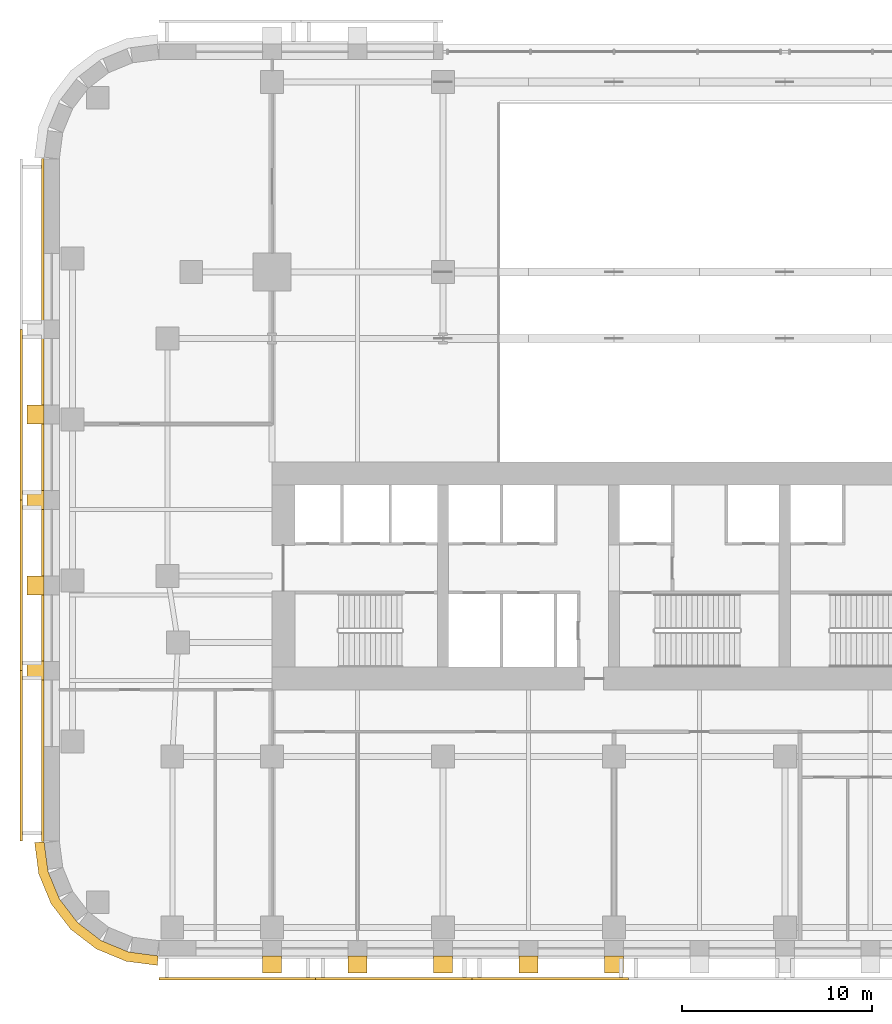
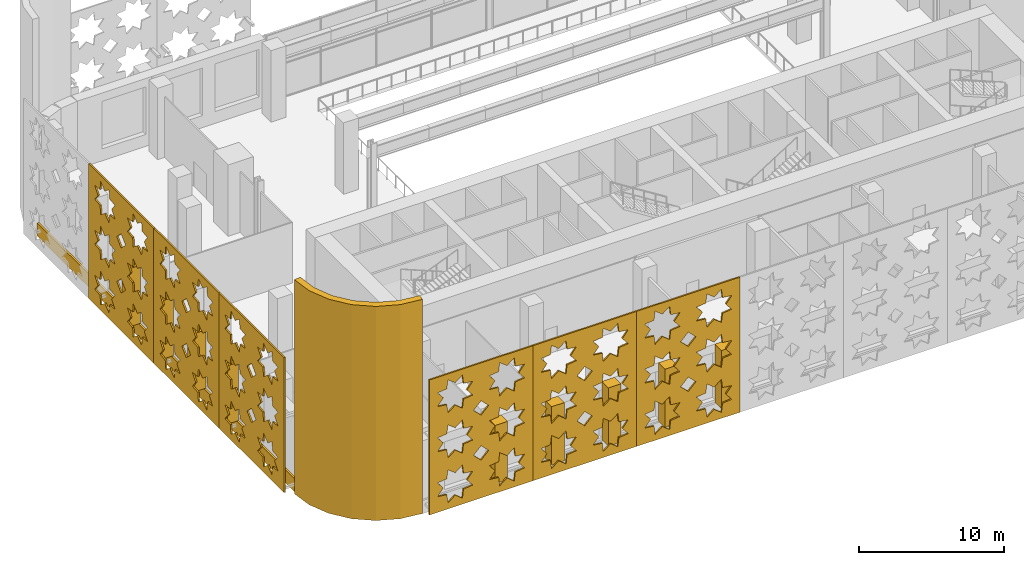
# One storey, part 12 of 17: 17 coverings.
"""IFC4 building model written with IfcOpenShell, lengths in metres."""

import ifcopenshell
import ifcopenshell.guid

model = None  # the IFC model being written
_history = None  # IfcOwnerHistory: only IFC2X3 demands one
_inside = {}  # id of a spatial element -> (the spatial element, [elements in it])
_under = {}  # id of a project, library or spatial element -> (it, [spatial elements below it])
_declared = {}  # id of a project -> (the project, [libraries it declares])
_typed = {}  # id of a type object -> (the type object, [elements of that type])
_made_of = {}  # id of a material, layer set ... -> (it, [elements and type objects made of it])


def new_model(schema):
    """Start an empty IFC model of exactly this schema.

    Asked for "IFC4X3", IfcOpenShell would pick the latest addendum, in which some entities
    have other attributes; the version numbers below select the first issue.
    IFC2X3 requires an IfcOwnerHistory on every rooted entity: one is made here for all.
    """
    global model, _history
    if schema == "IFC4X3":
        model = ifcopenshell.file(schema_version=(4, 3, 0, 0))
    else:
        model = ifcopenshell.file(schema=schema)
    _inside.clear()
    _under.clear()
    _declared.clear()
    _typed.clear()
    _made_of.clear()
    _history = None
    if model.schema == "IFC2X3":
        org = make("IfcOrganization", Name="unknown")
        user = make(
            "IfcPersonAndOrganization",
            ThePerson=make("IfcPerson", FamilyName="unknown"),
            TheOrganization=org,
        )
        app = make(
            "IfcApplication",
            ApplicationDeveloper=org,
            Version="unknown",
            ApplicationFullName="unknown",
            ApplicationIdentifier="unknown",
        )
        _history = make(
            "IfcOwnerHistory",
            OwningUser=user,
            OwningApplication=app,
            ChangeAction="ADDED",
            CreationDate=0,
        )
    return model


def make(cls, **values):
    """One entity of the class cls with the attributes given. An attribute that is None is left unset."""
    return model.create_entity(
        cls, **{name: value for name, value in values.items() if value is not None}
    )


def rooted(cls, **values):
    """An entity with a GlobalId (a new one), such as an element, a storey or a relation."""
    return make(cls, GlobalId=ifcopenshell.guid.new(), OwnerHistory=_history, **values)


def si_unit(unit_type, name, prefix=None):
    """IfcSIUnit, for example si_unit("LENGTHUNIT", "METRE", prefix="MILLI")."""
    return make("IfcSIUnit", UnitType=unit_type, Prefix=prefix, Name=name)


def assignment(units):
    """IfcUnitAssignment: the units of a project."""
    return None if units is None else make("IfcUnitAssignment", Units=units)


def point(xyz):
    """IfcCartesianPoint."""
    return None if xyz is None else make("IfcCartesianPoint", Coordinates=xyz)


def direction(xyz):
    """IfcDirection."""
    return None if xyz is None else make("IfcDirection", DirectionRatios=xyz)


def frame(location, z_axis=None, x_axis=None):
    """IfcAxis2Placement3D, a coordinate frame: its origin and axes. An axis left out is left unset."""
    return make(
        "IfcAxis2Placement3D",
        Location=point(location),
        Axis=direction(z_axis),
        RefDirection=direction(x_axis),
    )


def origin():
    """The frame at (0, 0, 0) with its axes left unset."""
    return frame((0.0, 0.0, 0.0))


def place(relative_to, where):
    """IfcLocalPlacement: puts the frame where relative to a parent placement (None: the world)."""
    return make(
        "IfcLocalPlacement", PlacementRelTo=relative_to, RelativePlacement=where
    )


def context(
    kind, dimensions, precision=None, world=None, true_north=None, identifier=None
):
    """IfcGeometricRepresentationContext, for example the 3D "Model" context."""
    return make(
        "IfcGeometricRepresentationContext",
        ContextIdentifier=identifier,
        ContextType=kind,
        CoordinateSpaceDimension=dimensions,
        Precision=precision,
        WorldCoordinateSystem=world,
        TrueNorth=true_north,
    )


def subcontext(parent, identifier, kind, view, scale=None):
    """IfcGeometricRepresentationSubContext, for example "Body" below "Model"."""
    return make(
        "IfcGeometricRepresentationSubContext",
        ContextIdentifier=identifier,
        ContextType=kind,
        ParentContext=parent,
        TargetScale=scale,
        TargetView=view,
    )


def project(units=None, contexts=None):
    """IfcProject with its units and contexts."""
    return rooted(
        "IfcProject",
        Name="project",
        RepresentationContexts=contexts,
        UnitsInContext=assignment(units),
    )


def spatial(cls, under=None, at=None, **own):
    """A site, building, storey or space (cls), placed at a placement, below another one or the project."""
    s = rooted(cls, ObjectPlacement=at, **own)
    if under is not None:
        _under.setdefault(under.id(), (under, []))[1].append(s)
    return s


def polyline(points):
    """IfcPolyline through the points."""
    return make("IfcPolyline", Points=[point(p) for p in points])


def outline(outer, holes=None, kind="AREA"):
    """IfcArbitraryClosedProfileDef: a profile drawn as a closed curve; with holes, ...WithVoids."""
    if holes is None:
        return make("IfcArbitraryClosedProfileDef", ProfileType=kind, OuterCurve=outer)
    return make(
        "IfcArbitraryProfileDefWithVoids",
        ProfileType=kind,
        OuterCurve=outer,
        InnerCurves=holes,
    )


def extrude(swept, where, along, depth):
    """IfcExtrudedAreaSolid: the profile swept, set in the frame where, extruded along a direction by depth."""
    return make(
        "IfcExtrudedAreaSolid",
        SweptArea=swept,
        Position=where,
        ExtrudedDirection=direction(along),
        Depth=depth,
    )


def shape(context_of_items, identifier, shape_type, items):
    """IfcShapeRepresentation: the items that make up one representation, for example the "Body"."""
    return make(
        "IfcShapeRepresentation",
        ContextOfItems=context_of_items,
        RepresentationIdentifier=identifier,
        RepresentationType=shape_type,
        Items=items,
    )


def material(Name=None, Category=None):
    """IfcMaterial."""
    return make("IfcMaterial", Name=Name, Category=Category)


def layer(
    of_material, thickness, ventilated=None, Name=None, Category=None, Priority=None
):
    """IfcMaterialLayer: one layer of a wall or slab, of a material (None: an air gap)."""
    return make(
        "IfcMaterialLayer",
        Material=of_material,
        LayerThickness=thickness,
        IsVentilated=ventilated,
        Name=Name,
        Category=Category,
        Priority=Priority,
    )


def layer_set(layers, Name=None):
    """IfcMaterialLayerSet."""
    return make("IfcMaterialLayerSet", MaterialLayers=layers, LayerSetName=Name)


def made_of(thing, what):
    """Note that an element or type object is made of a material, layer set ...; save() writes the relation."""
    if what is not None:
        _made_of.setdefault(what.id(), (what, []))[1].append(thing)
    return thing


def type_object(cls, material=None, **own):
    """A type object (cls), such as IfcWallType, which elements share."""
    return made_of(rooted(cls, **own), material)


def element(
    cls,
    number,
    at=None,
    inside=None,
    cuts=None,
    type_object=None,
    material=None,
    context=None,
    identifier="Body",
    shape_type=None,
    held_by="IfcProductDefinitionShape",
    body=None,
    shapes=None,
    **own,
):
    """One element of the class cls, such as IfcWall. Its Tag is "e" and its number.

    at: its placement. inside: the storey or other place that contains it. cuts: it is an
    opening in that element (IfcRelVoidsElement). A single representation is given by context,
    identifier, shape_type and body (its items); several are given by shapes. held_by: the class
    of the entity that holds the representations. save() writes the other relations.
    """
    e = rooted(cls, Tag="e%d" % number, ObjectPlacement=at, **own)
    if body is not None:
        shapes = [shape(context, identifier, shape_type, body)]
    if shapes is not None:
        e.Representation = make(held_by, Representations=shapes)
    if inside is not None:
        _inside.setdefault(inside.id(), (inside, []))[1].append(e)
    if cuts is not None:
        rooted(
            "IfcRelVoidsElement", RelatingBuildingElement=cuts, RelatedOpeningElement=e
        )
    if type_object is not None:
        _typed.setdefault(type_object.id(), (type_object, []))[1].append(e)
    return made_of(e, material)


def aggregate(whole, parts):
    """IfcRelAggregates: a whole, such as a stair, and the parts it consists of."""
    return rooted("IfcRelAggregates", RelatingObject=whole, RelatedObjects=parts)


def save(model, path):
    """Write the relations noted so far, then the file.

    IfcRelAggregates (storeys below a building ...), IfcRelContainedInSpatialStructure (elements
    in a storey), IfcRelDefinesByType, IfcRelAssociatesMaterial and IfcRelDeclares: one each for
    every whole, place, type object, material and project.
    """
    for whole, parts in _under.values():
        aggregate(whole, parts)
    for where, things in _inside.values():
        rooted(
            "IfcRelContainedInSpatialStructure",
            RelatedElements=things,
            RelatingStructure=where,
        )
    for kind, things in _typed.values():
        rooted("IfcRelDefinesByType", RelatedObjects=things, RelatingType=kind)
    for what, things in _made_of.values():
        rooted("IfcRelAssociatesMaterial", RelatedObjects=things, RelatingMaterial=what)
    for by, libraries in _declared.values():
        rooted("IfcRelDeclares", RelatingContext=by, RelatedDefinitions=libraries)
    model.write(path)


model = new_model("IFC4")

# Units and contexts
model_context = context("Model", 3, precision=1e-05, world=origin(), true_north=direction((0.0, 1.0)))
body_context = subcontext(model_context, "Body", "Model", "MODEL_VIEW")
ifc_project = project(units=[si_unit("LENGTHUNIT", "METRE"), si_unit("AREAUNIT", "SQUARE_METRE"), si_unit("VOLUMEUNIT", "CUBIC_METRE"), si_unit("PLANEANGLEUNIT", "RADIAN"), si_unit("MASSUNIT", "GRAM", prefix="KILO")], contexts=[model_context])

# Site, building, storey
site_placement = place(None, origin())
site = spatial("IfcSite", under=ifc_project, at=site_placement, CompositionType="ELEMENT")
building_placement = place(site_placement, origin())
building = spatial("IfcBuilding", under=site, at=building_placement, Name="Zellij Exchange Tower", CompositionType="ELEMENT")
storey_placement = place(building_placement, frame((0.0, 0.0, 21.0)))
storey = spatial("IfcBuildingStorey", under=building, at=storey_placement, Name="L03", CompositionType="ELEMENT", Elevation=21.0)

# Coverings
ifc_material_1 = material(Name="Limestone cladding", Category="masonry")
ifc_layer_1 = layer(ifc_material_1, 0.14990234375)
ifc_layer_set_1 = layer_set([ifc_layer_1], Name="Limestone cladding")
covering_type_1 = type_object("IfcCoveringType", Name="ENV-CV1 Stone spandrel band 150", PredefinedType="CLADDING", material=ifc_layer_set_1)
covering_1_placement = place(storey_placement, frame((0.0, 0.0, -0.300048828125)))
element("IfcCovering", 1, at=covering_1_placement, inside=storey, type_object=covering_type_1, Name="Stone spandrel band", PredefinedType="CLADDING", context=body_context, shape_type="SweptSolid", body=[
    extrude(outline(polyline([(-39.0, 13.973876953125), (-39.0, -21.973876953125), (-39.14990234375, -21.983642578125), (-39.14990234375, 13.983642578125), (-39.0, 13.973876953125)])), origin(), (0.0, 0.0, 1.0), 1.10009765625),
])
ifc_layer_2 = layer(ifc_material_1, 0.5)
ifc_layer_set_2 = layer_set([ifc_layer_2], Name="Limestone cladding")
covering_type_2 = type_object("IfcCoveringType", Name="ENV-CV12 Stone corner pier 500", PredefinedType="CLADDING", material=ifc_layer_set_2)
covering_2_placement = place(storey_placement, origin())
element("IfcCovering", 2, at=covering_2_placement, inside=storey, type_object=covering_type_2, Name="Stone corner pier", PredefinedType="CLADDING", context=body_context, shape_type="SweptSolid", body=[
    extrude(outline(polyline([(-39.0, -22.0), (-38.795654296875, -23.552978515625), (-38.1962890625, -25.0), (-37.24267578125, -26.24267578125), (-36.0, -27.1962890625), (-34.552978515625, -27.795654296875), (-33.0, -28.0), (-33.03271484375, -28.5), (-34.683349609375, -28.28271484375), (-36.252197265625, -27.6328125), (-37.59912109375, -26.59912109375), (-38.6328125, -25.252197265625), (-39.28271484375, -23.683349609375), (-39.5, -22.03271484375), (-39.0, -22.0)])), origin(), (0.0, 0.0, 1.0), 18.0),
])
covering_type_3 = type_object("IfcCoveringType", Name="ENV-CV2 Stone pier 1000x900", PredefinedType="CLADDING", material=ifc_material_1)
covering_3_placement = place(storey_placement, frame((0.0, 0.0, 0.800048828125)))
element("IfcCovering", 3, at=covering_3_placement, inside=storey, type_object=covering_type_3, Name="Stone pier", PredefinedType="CLADDING", context=body_context, shape_type="SweptSolid", body=[
    extrude(outline(polyline([(-27.5, -28.0), (-26.5, -28.0), (-26.5, -28.89990234375), (-27.5, -28.89990234375), (-27.5, -28.0)])), origin(), (0.0, 0.0, 1.0), 4.89990234375),
])
covering_4_placement = place(storey_placement, frame((0.0, 0.0, 0.800048828125)))
element("IfcCovering", 4, at=covering_4_placement, inside=storey, type_object=covering_type_3, Name="Stone pier", PredefinedType="CLADDING", context=body_context, shape_type="SweptSolid", body=[
    extrude(outline(polyline([(-23.0, -28.0), (-22.0, -28.0), (-22.0, -28.89990234375), (-23.0, -28.89990234375), (-23.0, -28.0)])), origin(), (0.0, 0.0, 1.0), 4.89990234375),
])
covering_5_placement = place(storey_placement, frame((0.0, 0.0, 0.800048828125)))
element("IfcCovering", 5, at=covering_5_placement, inside=storey, type_object=covering_type_3, Name="Stone pier", PredefinedType="CLADDING", context=body_context, shape_type="SweptSolid", body=[
    extrude(outline(polyline([(-18.5, -28.0), (-17.5, -28.0), (-17.5, -28.89990234375), (-18.5, -28.89990234375), (-18.5, -28.0)])), origin(), (0.0, 0.0, 1.0), 4.89990234375),
])
covering_6_placement = place(storey_placement, frame((0.0, 0.0, 0.800048828125)))
element("IfcCovering", 6, at=covering_6_placement, inside=storey, type_object=covering_type_3, Name="Stone pier", PredefinedType="CLADDING", context=body_context, shape_type="SweptSolid", body=[
    extrude(outline(polyline([(-14.0, -28.0), (-13.0, -28.0), (-13.0, -28.89990234375), (-14.0, -28.89990234375), (-14.0, -28.0)])), origin(), (0.0, 0.0, 1.0), 4.89990234375),
])
covering_7_placement = place(storey_placement, frame((0.0, 0.0, 0.800048828125)))
element("IfcCovering", 7, at=covering_7_placement, inside=storey, type_object=covering_type_3, Name="Stone pier", PredefinedType="CLADDING", context=body_context, shape_type="SweptSolid", body=[
    extrude(outline(polyline([(-9.5, -28.0), (-8.5, -28.0), (-8.5, -28.89990234375), (-9.5, -28.89990234375), (-9.5, -28.0)])), origin(), (0.0, 0.0, 1.0), 4.89990234375),
])
covering_8_placement = place(storey_placement, frame((0.0, 0.0, 0.800048828125)))
element("IfcCovering", 8, at=covering_8_placement, inside=storey, type_object=covering_type_3, Name="Stone pier", PredefinedType="CLADDING", context=body_context, shape_type="SweptSolid", body=[
    extrude(outline(polyline([(-39.0, 0.993408203125), (-39.0, -0.006591796875), (-39.89990234375, -0.006591796875), (-39.89990234375, 0.993408203125), (-39.0, 0.993408203125)])), origin(), (0.0, 0.0, 1.0), 4.89990234375),
])
covering_9_placement = place(storey_placement, frame((0.0, 0.0, 0.800048828125)))
element("IfcCovering", 9, at=covering_9_placement, inside=storey, type_object=covering_type_3, Name="Stone pier", PredefinedType="CLADDING", context=body_context, shape_type="SweptSolid", body=[
    extrude(outline(polyline([(-39.0, -3.5), (-39.0, -4.5), (-39.89990234375, -4.5), (-39.89990234375, -3.5), (-39.0, -3.5)])), origin(), (0.0, 0.0, 1.0), 4.89990234375),
])
covering_10_placement = place(storey_placement, frame((0.0, 0.0, 0.800048828125)))
element("IfcCovering", 10, at=covering_10_placement, inside=storey, type_object=covering_type_3, Name="Stone pier", PredefinedType="CLADDING", context=body_context, shape_type="SweptSolid", body=[
    extrude(outline(polyline([(-39.0, -7.993408203125), (-39.0, -8.993408203125), (-39.89990234375, -8.993408203125), (-39.89990234375, -7.993408203125), (-39.0, -7.993408203125)])), origin(), (0.0, 0.0, 1.0), 4.89990234375),
])
covering_11_placement = place(storey_placement, frame((0.0, 0.0, 0.800048828125)))
element("IfcCovering", 11, at=covering_11_placement, inside=storey, type_object=covering_type_3, Name="Stone pier", PredefinedType="CLADDING", context=body_context, shape_type="SweptSolid", body=[
    extrude(outline(polyline([(-39.0, -12.48681640625), (-39.0, -13.48681640625), (-39.89990234375, -13.48681640625), (-39.89990234375, -12.48681640625), (-39.0, -12.48681640625)])), origin(), (0.0, 0.0, 1.0), 4.89990234375),
])
ifc_material_2 = material(Name="Limestone screen", Category="masonry")
ifc_layer_3 = layer(ifc_material_2, 0.1201171875)
ifc_layer_set_3 = layer_set([ifc_layer_3], Name="Limestone screen")
covering_type_4 = type_object("IfcCoveringType", Name="ENV-SC1 Pierced stone screen 120", PredefinedType="USERDEFINED", material=ifc_layer_set_3)
covering_12_placement = place(storey_placement, frame((-40.2099609375, 4.973876953125, 0.300048828125), z_axis=(0.0, 0.0, 1.0), x_axis=(0.0, -1.0, 0.0)))
element("IfcCovering", 12, at=covering_12_placement, inside=storey, type_object=covering_type_4, Name="Pierced stone screen", ObjectType="SCREEN", PredefinedType="USERDEFINED", context=body_context, shape_type="SweptSolid", body=[
    extrude(outline(polyline([(0.0, 0.0), (8.973876953125, 0.0), (8.973876953125, 11.35009765625), (0.0, 11.35009765625), (0.0, 0.0)]), holes=[polyline([(3.6416015625, 2.470703125), (2.906982421875, 2.55517578125), (2.822509765625, 3.289794921875), (2.243408203125, 2.829833984375), (1.664306640625, 3.289794921875), (1.580078125, 2.55517578125), (0.84521484375, 2.470703125), (1.30517578125, 1.8916015625), (0.84521484375, 1.3125), (1.580078125, 1.228271484375), (1.664306640625, 0.493408203125), (2.243408203125, 0.953369140625), (2.822509765625, 0.493408203125), (2.906982421875, 1.228271484375), (3.6416015625, 1.3125), (3.181640625, 1.8916015625), (3.6416015625, 2.470703125)]), polyline([(3.6416015625, 6.254150390625), (2.906982421875, 6.33837890625), (2.822509765625, 7.072998046875), (2.243408203125, 6.61328125), (1.664306640625, 7.072998046875), (1.580078125, 6.33837890625), (0.84521484375, 6.254150390625), (1.30517578125, 5.675048828125), (0.84521484375, 5.095947265625), (1.580078125, 5.011474609375), (1.664306640625, 4.27685546875), (2.243408203125, 4.73681640625), (2.822509765625, 4.27685546875), (2.906982421875, 5.011474609375), (3.6416015625, 5.095947265625), (3.181640625, 5.675048828125), (3.6416015625, 6.254150390625)]), polyline([(3.6416015625, 10.03759765625), (2.906982421875, 10.121826171875), (2.822509765625, 10.8564453125), (2.243408203125, 10.396484375), (1.664306640625, 10.8564453125), (1.580078125, 10.121826171875), (0.84521484375, 10.03759765625), (1.30517578125, 9.458251953125), (0.84521484375, 8.879150390625), (1.580078125, 8.794921875), (1.664306640625, 8.060302734375), (2.243408203125, 8.52001953125), (2.822509765625, 8.060302734375), (2.906982421875, 8.794921875), (3.6416015625, 8.879150390625), (3.181640625, 9.458251953125), (3.6416015625, 10.03759765625)]), polyline([(8.12841796875, 2.470703125), (7.393798828125, 2.55517578125), (7.3095703125, 3.289794921875), (6.730224609375, 2.829833984375), (6.151123046875, 3.289794921875), (6.06689453125, 2.55517578125), (5.332275390625, 2.470703125), (5.7919921875, 1.8916015625), (5.332275390625, 1.3125), (6.06689453125, 1.228271484375), (6.151123046875, 0.493408203125), (6.730224609375, 0.953369140625), (7.3095703125, 0.493408203125), (7.393798828125, 1.228271484375), (8.12841796875, 1.3125), (7.668701171875, 1.8916015625), (8.12841796875, 2.470703125)]), polyline([(8.12841796875, 6.254150390625), (7.393798828125, 6.33837890625), (7.3095703125, 7.072998046875), (6.730224609375, 6.61328125), (6.151123046875, 7.072998046875), (6.06689453125, 6.33837890625), (5.332275390625, 6.254150390625), (5.7919921875, 5.675048828125), (5.332275390625, 5.095947265625), (6.06689453125, 5.011474609375), (6.151123046875, 4.27685546875), (6.730224609375, 4.73681640625), (7.3095703125, 4.27685546875), (7.393798828125, 5.011474609375), (8.12841796875, 5.095947265625), (7.668701171875, 5.675048828125), (8.12841796875, 6.254150390625)]), polyline([(8.12841796875, 10.03759765625), (7.393798828125, 10.121826171875), (7.3095703125, 10.8564453125), (6.730224609375, 10.396484375), (6.151123046875, 10.8564453125), (6.06689453125, 10.121826171875), (5.332275390625, 10.03759765625), (5.7919921875, 9.458251953125), (5.332275390625, 8.879150390625), (6.06689453125, 8.794921875), (6.151123046875, 8.060302734375), (6.730224609375, 8.52001953125), (7.3095703125, 8.060302734375), (7.393798828125, 8.794921875), (8.12841796875, 8.879150390625), (7.668701171875, 9.458251953125), (8.12841796875, 10.03759765625)]), polyline([(5.09228515625, 3.783203125), (4.48681640625, 4.388671875), (3.881591796875, 3.783203125), (4.48681640625, 3.177978515625), (5.09228515625, 3.783203125)]), polyline([(5.09228515625, 7.566650390625), (4.48681640625, 8.172119140625), (3.881591796875, 7.566650390625), (4.48681640625, 6.961181640625), (5.09228515625, 7.566650390625)])]), frame((0.0, 0.06005859375, 0.0), z_axis=(0.0, -1.0, 0.0), x_axis=(1.0, 0.0, 0.0)), (0.0, 0.0, 1.0), 0.1201171875),
])
covering_13_placement = place(storey_placement, frame((-40.2099609375, -4.0, 0.300048828125), z_axis=(0.0, 0.0, 1.0), x_axis=(0.0, -1.0, 0.0)))
element("IfcCovering", 13, at=covering_13_placement, inside=storey, type_object=covering_type_4, Name="Pierced stone screen", ObjectType="SCREEN", PredefinedType="USERDEFINED", context=body_context, shape_type="SweptSolid", body=[
    extrude(outline(polyline([(0.0, 0.0), (8.973876953125, 0.0), (8.973876953125, 11.35009765625), (0.0, 11.35009765625), (0.0, 0.0)]), holes=[polyline([(3.6416015625, 2.470703125), (2.906982421875, 2.55517578125), (2.822509765625, 3.289794921875), (2.243408203125, 2.829833984375), (1.664306640625, 3.289794921875), (1.580078125, 2.55517578125), (0.84521484375, 2.470703125), (1.30517578125, 1.8916015625), (0.84521484375, 1.3125), (1.580078125, 1.228271484375), (1.664306640625, 0.493408203125), (2.243408203125, 0.953369140625), (2.822509765625, 0.493408203125), (2.906982421875, 1.228271484375), (3.6416015625, 1.3125), (3.181640625, 1.8916015625), (3.6416015625, 2.470703125)]), polyline([(3.6416015625, 6.254150390625), (2.906982421875, 6.33837890625), (2.822509765625, 7.072998046875), (2.243408203125, 6.61328125), (1.664306640625, 7.072998046875), (1.580078125, 6.33837890625), (0.84521484375, 6.254150390625), (1.30517578125, 5.675048828125), (0.84521484375, 5.095947265625), (1.580078125, 5.011474609375), (1.664306640625, 4.27685546875), (2.243408203125, 4.73681640625), (2.822509765625, 4.27685546875), (2.906982421875, 5.011474609375), (3.6416015625, 5.095947265625), (3.181640625, 5.675048828125), (3.6416015625, 6.254150390625)]), polyline([(3.6416015625, 10.03759765625), (2.906982421875, 10.121826171875), (2.822509765625, 10.8564453125), (2.243408203125, 10.396484375), (1.664306640625, 10.8564453125), (1.580078125, 10.121826171875), (0.84521484375, 10.03759765625), (1.30517578125, 9.458251953125), (0.84521484375, 8.879150390625), (1.580078125, 8.794921875), (1.664306640625, 8.060302734375), (2.243408203125, 8.52001953125), (2.822509765625, 8.060302734375), (2.906982421875, 8.794921875), (3.6416015625, 8.879150390625), (3.181640625, 9.458251953125), (3.6416015625, 10.03759765625)]), polyline([(8.12841796875, 2.470703125), (7.393798828125, 2.55517578125), (7.3095703125, 3.289794921875), (6.730224609375, 2.829833984375), (6.151123046875, 3.289794921875), (6.06689453125, 2.55517578125), (5.332275390625, 2.470703125), (5.7919921875, 1.8916015625), (5.332275390625, 1.3125), (6.06689453125, 1.228271484375), (6.151123046875, 0.493408203125), (6.730224609375, 0.953369140625), (7.3095703125, 0.493408203125), (7.393798828125, 1.228271484375), (8.12841796875, 1.3125), (7.668701171875, 1.8916015625), (8.12841796875, 2.470703125)]), polyline([(8.12841796875, 6.254150390625), (7.393798828125, 6.33837890625), (7.3095703125, 7.072998046875), (6.730224609375, 6.61328125), (6.151123046875, 7.072998046875), (6.06689453125, 6.33837890625), (5.332275390625, 6.254150390625), (5.7919921875, 5.675048828125), (5.332275390625, 5.095947265625), (6.06689453125, 5.011474609375), (6.151123046875, 4.27685546875), (6.730224609375, 4.73681640625), (7.3095703125, 4.27685546875), (7.393798828125, 5.011474609375), (8.12841796875, 5.095947265625), (7.668701171875, 5.675048828125), (8.12841796875, 6.254150390625)]), polyline([(8.12841796875, 10.03759765625), (7.393798828125, 10.121826171875), (7.3095703125, 10.8564453125), (6.730224609375, 10.396484375), (6.151123046875, 10.8564453125), (6.06689453125, 10.121826171875), (5.332275390625, 10.03759765625), (5.7919921875, 9.458251953125), (5.332275390625, 8.879150390625), (6.06689453125, 8.794921875), (6.151123046875, 8.060302734375), (6.730224609375, 8.52001953125), (7.3095703125, 8.060302734375), (7.393798828125, 8.794921875), (8.12841796875, 8.879150390625), (7.668701171875, 9.458251953125), (8.12841796875, 10.03759765625)]), polyline([(5.09228515625, 3.783203125), (4.48681640625, 4.388671875), (3.881591796875, 3.783203125), (4.48681640625, 3.177978515625), (5.09228515625, 3.783203125)]), polyline([(5.09228515625, 7.566650390625), (4.48681640625, 8.172119140625), (3.881591796875, 7.566650390625), (4.48681640625, 6.961181640625), (5.09228515625, 7.566650390625)])]), frame((0.0, 0.06005859375, 0.0), z_axis=(0.0, -1.0, 0.0), x_axis=(1.0, 0.0, 0.0)), (0.0, 0.0, 1.0), 0.1201171875),
])
covering_14_placement = place(storey_placement, frame((-40.2099609375, -12.973876953125, 0.300048828125), z_axis=(0.0, 0.0, 1.0), x_axis=(0.0, -1.0, 0.0)))
element("IfcCovering", 14, at=covering_14_placement, inside=storey, type_object=covering_type_4, Name="Pierced stone screen", ObjectType="SCREEN", PredefinedType="USERDEFINED", context=body_context, shape_type="SweptSolid", body=[
    extrude(outline(polyline([(0.0, 0.0), (8.973876953125, 0.0), (8.973876953125, 11.35009765625), (0.0, 11.35009765625), (0.0, 0.0)]), holes=[polyline([(3.6416015625, 2.470703125), (2.906982421875, 2.55517578125), (2.822509765625, 3.289794921875), (2.243408203125, 2.829833984375), (1.664306640625, 3.289794921875), (1.580078125, 2.55517578125), (0.84521484375, 2.470703125), (1.30517578125, 1.8916015625), (0.84521484375, 1.3125), (1.580078125, 1.228271484375), (1.664306640625, 0.493408203125), (2.243408203125, 0.953369140625), (2.822509765625, 0.493408203125), (2.906982421875, 1.228271484375), (3.6416015625, 1.3125), (3.181640625, 1.8916015625), (3.6416015625, 2.470703125)]), polyline([(3.6416015625, 6.254150390625), (2.906982421875, 6.33837890625), (2.822509765625, 7.072998046875), (2.243408203125, 6.61328125), (1.664306640625, 7.072998046875), (1.580078125, 6.33837890625), (0.84521484375, 6.254150390625), (1.30517578125, 5.675048828125), (0.84521484375, 5.095947265625), (1.580078125, 5.011474609375), (1.664306640625, 4.27685546875), (2.243408203125, 4.73681640625), (2.822509765625, 4.27685546875), (2.906982421875, 5.011474609375), (3.6416015625, 5.095947265625), (3.181640625, 5.675048828125), (3.6416015625, 6.254150390625)]), polyline([(3.6416015625, 10.03759765625), (2.906982421875, 10.121826171875), (2.822509765625, 10.8564453125), (2.243408203125, 10.396484375), (1.664306640625, 10.8564453125), (1.580078125, 10.121826171875), (0.84521484375, 10.03759765625), (1.30517578125, 9.458251953125), (0.84521484375, 8.879150390625), (1.580078125, 8.794921875), (1.664306640625, 8.060302734375), (2.243408203125, 8.52001953125), (2.822509765625, 8.060302734375), (2.906982421875, 8.794921875), (3.6416015625, 8.879150390625), (3.181640625, 9.458251953125), (3.6416015625, 10.03759765625)]), polyline([(8.12841796875, 2.470703125), (7.393798828125, 2.55517578125), (7.3095703125, 3.289794921875), (6.730224609375, 2.829833984375), (6.151123046875, 3.289794921875), (6.06689453125, 2.55517578125), (5.332275390625, 2.470703125), (5.7919921875, 1.8916015625), (5.332275390625, 1.3125), (6.06689453125, 1.228271484375), (6.151123046875, 0.493408203125), (6.730224609375, 0.953369140625), (7.3095703125, 0.493408203125), (7.393798828125, 1.228271484375), (8.12841796875, 1.3125), (7.668701171875, 1.8916015625), (8.12841796875, 2.470703125)]), polyline([(8.12841796875, 6.254150390625), (7.393798828125, 6.33837890625), (7.3095703125, 7.072998046875), (6.730224609375, 6.61328125), (6.151123046875, 7.072998046875), (6.06689453125, 6.33837890625), (5.332275390625, 6.254150390625), (5.7919921875, 5.675048828125), (5.332275390625, 5.095947265625), (6.06689453125, 5.011474609375), (6.151123046875, 4.27685546875), (6.730224609375, 4.73681640625), (7.3095703125, 4.27685546875), (7.393798828125, 5.011474609375), (8.12841796875, 5.095947265625), (7.668701171875, 5.675048828125), (8.12841796875, 6.254150390625)]), polyline([(8.12841796875, 10.03759765625), (7.393798828125, 10.121826171875), (7.3095703125, 10.8564453125), (6.730224609375, 10.396484375), (6.151123046875, 10.8564453125), (6.06689453125, 10.121826171875), (5.332275390625, 10.03759765625), (5.7919921875, 9.458251953125), (5.332275390625, 8.879150390625), (6.06689453125, 8.794921875), (6.151123046875, 8.060302734375), (6.730224609375, 8.52001953125), (7.3095703125, 8.060302734375), (7.393798828125, 8.794921875), (8.12841796875, 8.879150390625), (7.668701171875, 9.458251953125), (8.12841796875, 10.03759765625)]), polyline([(5.09228515625, 3.783203125), (4.48681640625, 4.388671875), (3.881591796875, 3.783203125), (4.48681640625, 3.177978515625), (5.09228515625, 3.783203125)]), polyline([(5.09228515625, 7.566650390625), (4.48681640625, 8.172119140625), (3.881591796875, 7.566650390625), (4.48681640625, 6.961181640625), (5.09228515625, 7.566650390625)])]), frame((0.0, 0.06005859375, 0.0), z_axis=(0.0, -1.0, 0.0), x_axis=(1.0, 0.0, 0.0)), (0.0, 0.0, 1.0), 0.1201171875),
])
covering_15_placement = place(storey_placement, frame((-32.947509765625, -29.2099609375, 0.300048828125), z_axis=(0.0, 0.0, 1.0), x_axis=(1.0, 0.0, 0.0)))
element("IfcCovering", 15, at=covering_15_placement, inside=storey, type_object=covering_type_4, Name="Pierced stone screen", ObjectType="SCREEN", PredefinedType="USERDEFINED", context=body_context, shape_type="SweptSolid", body=[
    extrude(outline(polyline([(0.0, 0.0), (8.23681640625, 0.0), (8.23681640625, 11.35009765625), (0.0, 11.35009765625), (0.0, 0.0)]), holes=[polyline([(3.45751953125, 2.470703125), (2.72265625, 2.55517578125), (2.638427734375, 3.289794921875), (2.05908203125, 2.829833984375), (1.47998046875, 3.289794921875), (1.395751953125, 2.55517578125), (0.6611328125, 2.470703125), (1.12109375, 1.8916015625), (0.6611328125, 1.3125), (1.395751953125, 1.228271484375), (1.47998046875, 0.493408203125), (2.05908203125, 0.953369140625), (2.638427734375, 0.493408203125), (2.72265625, 1.228271484375), (3.45751953125, 1.3125), (2.99755859375, 1.8916015625), (3.45751953125, 2.470703125)]), polyline([(3.45751953125, 6.254150390625), (2.72265625, 6.33837890625), (2.638427734375, 7.072998046875), (2.05908203125, 6.61328125), (1.47998046875, 7.072998046875), (1.395751953125, 6.33837890625), (0.6611328125, 6.254150390625), (1.12109375, 5.675048828125), (0.6611328125, 5.095947265625), (1.395751953125, 5.011474609375), (1.47998046875, 4.27685546875), (2.05908203125, 4.73681640625), (2.638427734375, 4.27685546875), (2.72265625, 5.011474609375), (3.45751953125, 5.095947265625), (2.99755859375, 5.675048828125), (3.45751953125, 6.254150390625)]), polyline([(3.45751953125, 10.03759765625), (2.72265625, 10.121826171875), (2.638427734375, 10.8564453125), (2.05908203125, 10.396484375), (1.47998046875, 10.8564453125), (1.395751953125, 10.121826171875), (0.6611328125, 10.03759765625), (1.12109375, 9.458251953125), (0.6611328125, 8.879150390625), (1.395751953125, 8.794921875), (1.47998046875, 8.060302734375), (2.05908203125, 8.52001953125), (2.638427734375, 8.060302734375), (2.72265625, 8.794921875), (3.45751953125, 8.879150390625), (2.99755859375, 9.458251953125), (3.45751953125, 10.03759765625)]), polyline([(7.57568359375, 2.470703125), (6.841064453125, 2.55517578125), (6.7568359375, 3.289794921875), (6.177734375, 2.829833984375), (5.598388671875, 3.289794921875), (5.51416015625, 2.55517578125), (4.779541015625, 2.470703125), (5.239501953125, 1.8916015625), (4.779541015625, 1.3125), (5.51416015625, 1.228271484375), (5.598388671875, 0.493408203125), (6.177734375, 0.953369140625), (6.7568359375, 0.493408203125), (6.841064453125, 1.228271484375), (7.57568359375, 1.3125), (7.115966796875, 1.8916015625), (7.57568359375, 2.470703125)]), polyline([(7.57568359375, 6.254150390625), (6.841064453125, 6.33837890625), (6.7568359375, 7.072998046875), (6.177734375, 6.61328125), (5.598388671875, 7.072998046875), (5.51416015625, 6.33837890625), (4.779541015625, 6.254150390625), (5.239501953125, 5.675048828125), (4.779541015625, 5.095947265625), (5.51416015625, 5.011474609375), (5.598388671875, 4.27685546875), (6.177734375, 4.73681640625), (6.7568359375, 4.27685546875), (6.841064453125, 5.011474609375), (7.57568359375, 5.095947265625), (7.115966796875, 5.675048828125), (7.57568359375, 6.254150390625)]), polyline([(7.57568359375, 10.03759765625), (6.841064453125, 10.121826171875), (6.7568359375, 10.8564453125), (6.177734375, 10.396484375), (5.598388671875, 10.8564453125), (5.51416015625, 10.121826171875), (4.779541015625, 10.03759765625), (5.239501953125, 9.458251953125), (4.779541015625, 8.879150390625), (5.51416015625, 8.794921875), (5.598388671875, 8.060302734375), (6.177734375, 8.52001953125), (6.7568359375, 8.060302734375), (6.841064453125, 8.794921875), (7.57568359375, 8.879150390625), (7.115966796875, 9.458251953125), (7.57568359375, 10.03759765625)]), polyline([(4.723876953125, 3.783203125), (4.118408203125, 4.388671875), (3.51318359375, 3.783203125), (4.118408203125, 3.177978515625), (4.723876953125, 3.783203125)]), polyline([(4.723876953125, 7.566650390625), (4.118408203125, 8.172119140625), (3.51318359375, 7.566650390625), (4.118408203125, 6.961181640625), (4.723876953125, 7.566650390625)])]), frame((0.0, 0.06005859375, 0.0), z_axis=(0.0, -1.0, 0.0), x_axis=(1.0, 0.0, 0.0)), (0.0, 0.0, 1.0), 0.1201171875),
])
covering_16_placement = place(storey_placement, frame((-24.710693359375, -29.2099609375, 0.300048828125), z_axis=(0.0, 0.0, 1.0), x_axis=(1.0, 0.0, 0.0)))
element("IfcCovering", 16, at=covering_16_placement, inside=storey, type_object=covering_type_4, Name="Pierced stone screen", ObjectType="SCREEN", PredefinedType="USERDEFINED", context=body_context, shape_type="SweptSolid", body=[
    extrude(outline(polyline([(0.0, 0.0), (8.23681640625, 0.0), (8.23681640625, 11.35009765625), (0.0, 11.35009765625), (0.0, 0.0)]), holes=[polyline([(3.45751953125, 2.470703125), (2.72265625, 2.55517578125), (2.638427734375, 3.289794921875), (2.05908203125, 2.829833984375), (1.47998046875, 3.289794921875), (1.395751953125, 2.55517578125), (0.6611328125, 2.470703125), (1.12109375, 1.8916015625), (0.6611328125, 1.3125), (1.395751953125, 1.228271484375), (1.47998046875, 0.493408203125), (2.05908203125, 0.953369140625), (2.638427734375, 0.493408203125), (2.72265625, 1.228271484375), (3.45751953125, 1.3125), (2.99755859375, 1.8916015625), (3.45751953125, 2.470703125)]), polyline([(3.45751953125, 6.254150390625), (2.72265625, 6.33837890625), (2.638427734375, 7.072998046875), (2.05908203125, 6.61328125), (1.47998046875, 7.072998046875), (1.395751953125, 6.33837890625), (0.6611328125, 6.254150390625), (1.12109375, 5.675048828125), (0.6611328125, 5.095947265625), (1.395751953125, 5.011474609375), (1.47998046875, 4.27685546875), (2.05908203125, 4.73681640625), (2.638427734375, 4.27685546875), (2.72265625, 5.011474609375), (3.45751953125, 5.095947265625), (2.99755859375, 5.675048828125), (3.45751953125, 6.254150390625)]), polyline([(3.45751953125, 10.03759765625), (2.72265625, 10.121826171875), (2.638427734375, 10.8564453125), (2.05908203125, 10.396484375), (1.47998046875, 10.8564453125), (1.395751953125, 10.121826171875), (0.6611328125, 10.03759765625), (1.12109375, 9.458251953125), (0.6611328125, 8.879150390625), (1.395751953125, 8.794921875), (1.47998046875, 8.060302734375), (2.05908203125, 8.52001953125), (2.638427734375, 8.060302734375), (2.72265625, 8.794921875), (3.45751953125, 8.879150390625), (2.99755859375, 9.458251953125), (3.45751953125, 10.03759765625)]), polyline([(7.57568359375, 2.470703125), (6.841064453125, 2.55517578125), (6.7568359375, 3.289794921875), (6.177734375, 2.829833984375), (5.598388671875, 3.289794921875), (5.51416015625, 2.55517578125), (4.779541015625, 2.470703125), (5.239501953125, 1.8916015625), (4.779541015625, 1.3125), (5.51416015625, 1.228271484375), (5.598388671875, 0.493408203125), (6.177734375, 0.953369140625), (6.7568359375, 0.493408203125), (6.841064453125, 1.228271484375), (7.57568359375, 1.3125), (7.115966796875, 1.8916015625), (7.57568359375, 2.470703125)]), polyline([(7.57568359375, 6.254150390625), (6.841064453125, 6.33837890625), (6.7568359375, 7.072998046875), (6.177734375, 6.61328125), (5.598388671875, 7.072998046875), (5.51416015625, 6.33837890625), (4.779541015625, 6.254150390625), (5.239501953125, 5.675048828125), (4.779541015625, 5.095947265625), (5.51416015625, 5.011474609375), (5.598388671875, 4.27685546875), (6.177734375, 4.73681640625), (6.7568359375, 4.27685546875), (6.841064453125, 5.011474609375), (7.57568359375, 5.095947265625), (7.115966796875, 5.675048828125), (7.57568359375, 6.254150390625)]), polyline([(7.57568359375, 10.03759765625), (6.841064453125, 10.121826171875), (6.7568359375, 10.8564453125), (6.177734375, 10.396484375), (5.598388671875, 10.8564453125), (5.51416015625, 10.121826171875), (4.779541015625, 10.03759765625), (5.239501953125, 9.458251953125), (4.779541015625, 8.879150390625), (5.51416015625, 8.794921875), (5.598388671875, 8.060302734375), (6.177734375, 8.52001953125), (6.7568359375, 8.060302734375), (6.841064453125, 8.794921875), (7.57568359375, 8.879150390625), (7.115966796875, 9.458251953125), (7.57568359375, 10.03759765625)]), polyline([(4.723876953125, 3.783203125), (4.118408203125, 4.388671875), (3.51318359375, 3.783203125), (4.118408203125, 3.177978515625), (4.723876953125, 3.783203125)]), polyline([(4.723876953125, 7.566650390625), (4.118408203125, 8.172119140625), (3.51318359375, 7.566650390625), (4.118408203125, 6.961181640625), (4.723876953125, 7.566650390625)])]), frame((0.0, 0.06005859375, 0.0), z_axis=(0.0, -1.0, 0.0), x_axis=(1.0, 0.0, 0.0)), (0.0, 0.0, 1.0), 0.1201171875),
])
covering_17_placement = place(storey_placement, frame((-16.473876953125, -29.2099609375, 0.300048828125), z_axis=(0.0, 0.0, 1.0), x_axis=(1.0, 0.0, 0.0)))
element("IfcCovering", 17, at=covering_17_placement, inside=storey, type_object=covering_type_4, Name="Pierced stone screen", ObjectType="SCREEN", PredefinedType="USERDEFINED", context=body_context, shape_type="SweptSolid", body=[
    extrude(outline(polyline([(0.0, 0.0), (8.23681640625, 0.0), (8.23681640625, 11.35009765625), (0.0, 11.35009765625), (0.0, 0.0)]), holes=[polyline([(3.45751953125, 2.470703125), (2.72265625, 2.55517578125), (2.638427734375, 3.289794921875), (2.05908203125, 2.829833984375), (1.47998046875, 3.289794921875), (1.395751953125, 2.55517578125), (0.6611328125, 2.470703125), (1.12109375, 1.8916015625), (0.6611328125, 1.3125), (1.395751953125, 1.228271484375), (1.47998046875, 0.493408203125), (2.05908203125, 0.953369140625), (2.638427734375, 0.493408203125), (2.72265625, 1.228271484375), (3.45751953125, 1.3125), (2.99755859375, 1.8916015625), (3.45751953125, 2.470703125)]), polyline([(3.45751953125, 6.254150390625), (2.72265625, 6.33837890625), (2.638427734375, 7.072998046875), (2.05908203125, 6.61328125), (1.47998046875, 7.072998046875), (1.395751953125, 6.33837890625), (0.6611328125, 6.254150390625), (1.12109375, 5.675048828125), (0.6611328125, 5.095947265625), (1.395751953125, 5.011474609375), (1.47998046875, 4.27685546875), (2.05908203125, 4.73681640625), (2.638427734375, 4.27685546875), (2.72265625, 5.011474609375), (3.45751953125, 5.095947265625), (2.99755859375, 5.675048828125), (3.45751953125, 6.254150390625)]), polyline([(3.45751953125, 10.03759765625), (2.72265625, 10.121826171875), (2.638427734375, 10.8564453125), (2.05908203125, 10.396484375), (1.47998046875, 10.8564453125), (1.395751953125, 10.121826171875), (0.6611328125, 10.03759765625), (1.12109375, 9.458251953125), (0.6611328125, 8.879150390625), (1.395751953125, 8.794921875), (1.47998046875, 8.060302734375), (2.05908203125, 8.52001953125), (2.638427734375, 8.060302734375), (2.72265625, 8.794921875), (3.45751953125, 8.879150390625), (2.99755859375, 9.458251953125), (3.45751953125, 10.03759765625)]), polyline([(7.57568359375, 2.470703125), (6.841064453125, 2.55517578125), (6.7568359375, 3.289794921875), (6.177734375, 2.829833984375), (5.598388671875, 3.289794921875), (5.51416015625, 2.55517578125), (4.779541015625, 2.470703125), (5.239501953125, 1.8916015625), (4.779541015625, 1.3125), (5.51416015625, 1.228271484375), (5.598388671875, 0.493408203125), (6.177734375, 0.953369140625), (6.7568359375, 0.493408203125), (6.841064453125, 1.228271484375), (7.57568359375, 1.3125), (7.115966796875, 1.8916015625), (7.57568359375, 2.470703125)]), polyline([(7.57568359375, 6.254150390625), (6.841064453125, 6.33837890625), (6.7568359375, 7.072998046875), (6.177734375, 6.61328125), (5.598388671875, 7.072998046875), (5.51416015625, 6.33837890625), (4.779541015625, 6.254150390625), (5.239501953125, 5.675048828125), (4.779541015625, 5.095947265625), (5.51416015625, 5.011474609375), (5.598388671875, 4.27685546875), (6.177734375, 4.73681640625), (6.7568359375, 4.27685546875), (6.841064453125, 5.011474609375), (7.57568359375, 5.095947265625), (7.115966796875, 5.675048828125), (7.57568359375, 6.254150390625)]), polyline([(7.57568359375, 10.03759765625), (6.841064453125, 10.121826171875), (6.7568359375, 10.8564453125), (6.177734375, 10.396484375), (5.598388671875, 10.8564453125), (5.51416015625, 10.121826171875), (4.779541015625, 10.03759765625), (5.239501953125, 9.458251953125), (4.779541015625, 8.879150390625), (5.51416015625, 8.794921875), (5.598388671875, 8.060302734375), (6.177734375, 8.52001953125), (6.7568359375, 8.060302734375), (6.841064453125, 8.794921875), (7.57568359375, 8.879150390625), (7.115966796875, 9.458251953125), (7.57568359375, 10.03759765625)]), polyline([(4.723876953125, 3.783203125), (4.118408203125, 4.388671875), (3.51318359375, 3.783203125), (4.118408203125, 3.177978515625), (4.723876953125, 3.783203125)]), polyline([(4.723876953125, 7.566650390625), (4.118408203125, 8.172119140625), (3.51318359375, 7.566650390625), (4.118408203125, 6.961181640625), (4.723876953125, 7.566650390625)])]), frame((0.0, 0.06005859375, 0.0), z_axis=(0.0, -1.0, 0.0), x_axis=(1.0, 0.0, 0.0)), (0.0, 0.0, 1.0), 0.1201171875),
])

save(model, "model.ifc")
